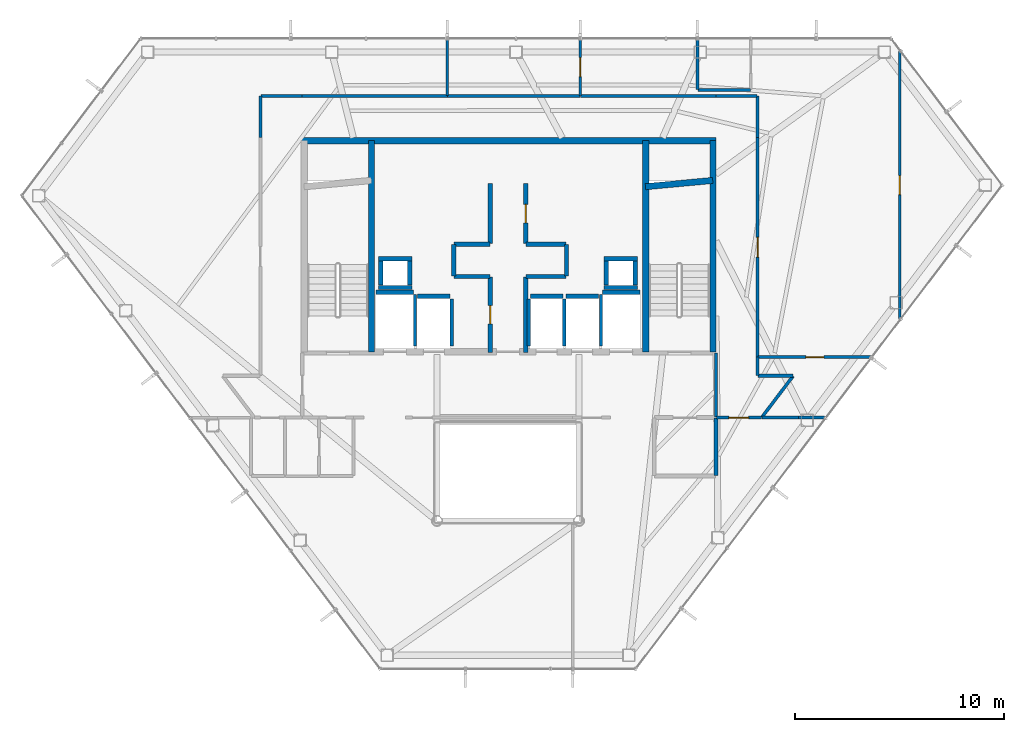
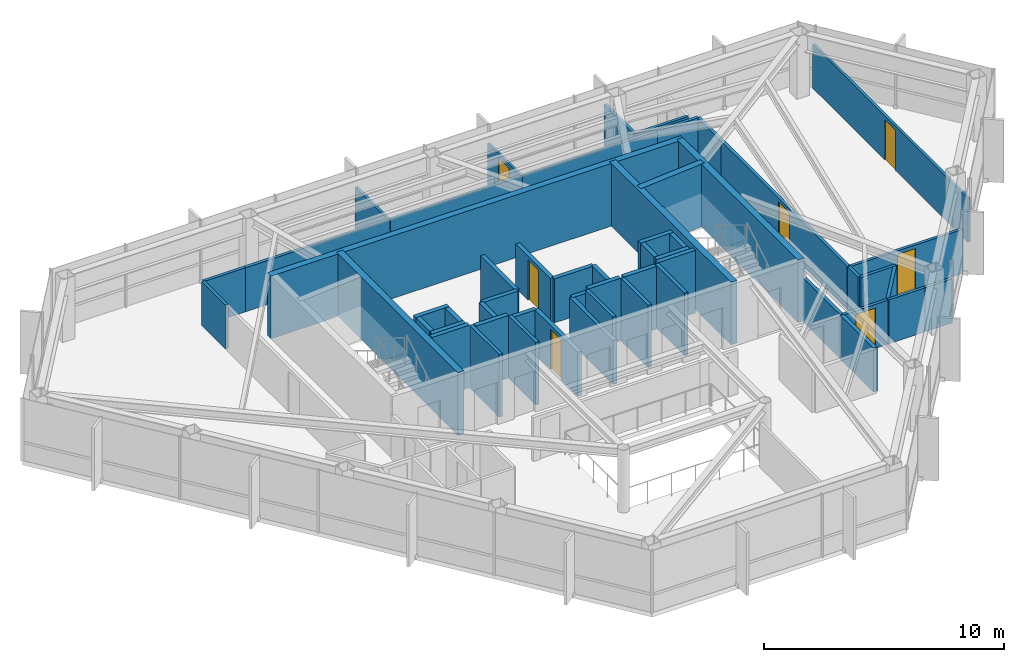
# One storey, part 26 of 28: 55 walls, 7 doors, 7 openings.
"""IFC4 building model written with IfcOpenShell, lengths in metres."""

from ifc_helpers import new_model, si_unit, direction, frame, frame_2d, origin, place, context, subcontext, project, spatial, rectangle, extrude, material, layer, layer_set, type_object, element, fill, save


model = new_model("IFC4")

# Units and contexts
model_context = context("Model", 3, precision=1e-05, world=origin(), true_north=direction((0.0, 1.0)))
body_context = subcontext(model_context, "Body", "Model", "MODEL_VIEW")
ifc_project = project(units=[si_unit("LENGTHUNIT", "METRE"), si_unit("AREAUNIT", "SQUARE_METRE"), si_unit("VOLUMEUNIT", "CUBIC_METRE"), si_unit("PLANEANGLEUNIT", "RADIAN"), si_unit("MASSUNIT", "GRAM", prefix="KILO")], contexts=[model_context])

# Site, building, storey
site_placement = place(None, origin())
site = spatial("IfcSite", under=ifc_project, at=site_placement, CompositionType="ELEMENT")
building_placement = place(site_placement, origin())
building = spatial("IfcBuilding", under=site, at=building_placement, Name="Zarrinselat Tower", CompositionType="ELEMENT")
storey_placement = place(building_placement, frame((0.0, 0.0, 218.9599609375)))
storey = spatial("IfcBuildingStorey", under=building, at=storey_placement, Name="L54", CompositionType="ELEMENT", Elevation=218.9599609375)

# Walls
ifc_material_1 = material(Name="Concrete C40/50", Category="concrete")
ifc_layer_1 = layer(ifc_material_1, 0.18994140625)
ifc_layer_set_1 = layer_set([ifc_layer_1], Name="Concrete C40/50")
wall_type_1 = type_object("IfcWallType", Name="WAL-PART-EI120", PredefinedType="PARTITIONING", material=ifc_layer_set_1)
wall_1_placement = place(storey_placement, frame((48.35009765625, 27.3701171875, 0.0), z_axis=(0.0, 0.0, 1.0), x_axis=(0.0, 1.0, 0.0)))
element("IfcWall", 1, at=wall_1_placement, inside=storey, type_object=wall_type_1, Name="L54 Partition Wall 21", PredefinedType="PARTITIONING", context=body_context, shape_type="SweptSolid", body=[
    extrude(rectangle(XDim=2.759765625, YDim=0.18994140625, at=frame_2d((1.3798828125, 0.0))), origin(), (0.0, 0.0, 1.0), 2.235107421875),
])
ifc_material_2 = material(Name="Fire-Rated Gypsum Board Partition", Category="gypsum")
ifc_layer_2 = layer(ifc_material_2, 0.14990234375)
ifc_layer_set_2 = layer_set([ifc_layer_2], Name="Fire-Rated Gypsum Board Partition")
wall_type_2 = type_object("IfcWallType", Name="WAL-PART-EI60", PredefinedType="PARTITIONING", material=ifc_layer_set_2)
wall_2_placement = place(storey_placement, frame((48.35009765625, 30.169921875, 0.0), z_axis=(0.0, 0.0, 1.0), x_axis=(0.0, 1.0, 0.0)))
element("IfcWall", 2, at=wall_2_placement, inside=storey, type_object=wall_type_2, Name="L54 Partition Wall 13", PredefinedType="PARTITIONING", context=body_context, shape_type="SweptSolid", body=[
    extrude(rectangle(XDim=3.06005859375, YDim=0.14990234375, at=frame_2d((1.530029296875, 0.0))), origin(), (0.0, 0.0, 1.0), 2.235107421875),
])

# Wall, opening, door
wall_3_placement = place(storey_placement, frame((48.3701171875, 30.14990234375, 0.0), z_axis=(0.0, 0.0, 1.0), x_axis=(1.0, 0.0, 0.0)))
wall_3 = element("IfcWall", 3, at=wall_3_placement, inside=storey, type_object=wall_type_2, Name="L54 Partition Wall 24", PredefinedType="PARTITIONING", context=body_context, shape_type="SweptSolid", body=[
    extrude(rectangle(XDim=2.155029296875, YDim=0.14990234375, at=frame_2d((1.07763671875, 0.0))), origin(), (0.0, 0.0, 1.0), 2.235107421875),
])
opening_1_placement = place(wall_3_placement, frame((0.607666015625, 0.0, 0.0)))
opening_1 = element("IfcOpeningElement", 4, at=opening_1_placement, cuts=wall_3, Name="Opening ID-04", PredefinedType="OPENING", context=body_context, shape_type="SweptSolid", body=[
    extrude(rectangle(XDim=0.93994140625, YDim=2.050048828125, at=frame_2d((0.469970703125, 1.02490234375))), frame((0.0, 0.0849609375, 0.0), z_axis=(0.0, -1.0, 0.0), x_axis=(1.0, 0.0, 0.0)), (0.0, 0.0, 1.0), 0.169921875),
])
ifc_material_3 = material(Name="Fire-Rated Gypsum Board Partition")
door_type_1 = type_object("IfcDoorType", Name="DR-INT-FD30-ENT", OperationType="NOTDEFINED", PredefinedType="DOOR", material=ifc_material_3)
door_1_placement = place(opening_1_placement, origin())
door_1 = element("IfcDoor", 5, at=door_1_placement, inside=storey, type_object=door_type_1, Name="L54 Interior Door P24", OperationType="SINGLE_SWING_RIGHT", OverallHeight=2.050048828125, OverallWidth=0.93994140625, PredefinedType="DOOR", context=body_context, shape_type="SweptSolid", body=[
    extrude(rectangle(XDim=0.93994140625, YDim=2.050048828125, at=frame_2d((0.469970703125, 1.02490234375))), frame((0.0, 0.02490234375, 0.0), z_axis=(0.0, -1.0, 0.0), x_axis=(1.0, 0.0, 0.0)), (0.0, 0.0, 1.0), 0.050048828125),
])
fill(opening_1, door_1)

# Walls
for number, where, z_axis, x_axis, name in (
    (6, (26.550048828125, 43.550048828125, 0.0), (0.0, 0.0, 1.0), (0.0, 1.0, 0.0), "L54 Partition Wall 28"),
    (7, (26.570068359375, 45.550048828125, 0.0), (0.0, 0.0, 1.0), (1.0, 0.0, 0.0), "L54 Partition Wall 29"),
):
    element("IfcWall", number, at=place(storey_placement, frame(where, z_axis=z_axis, x_axis=x_axis)), inside=storey, type_object=wall_type_2, Name=name, PredefinedType="PARTITIONING", context=body_context, shape_type="SweptSolid", body=[
        extrude(rectangle(XDim=1.97998046875, YDim=0.14990234375, at=frame_2d((0.989990234375, 0.0))), origin(), (0.0, 0.0, 1.0), 2.235107421875),
    ])
wall_4_placement = place(storey_placement, frame((28.550048828125, 45.550048828125, 0.0), z_axis=(0.0, 0.0, 1.0), x_axis=(1.0, 0.0, 0.0)))
element("IfcWall", 8, at=wall_4_placement, inside=storey, type_object=wall_type_2, Name="L54 Partition Wall 30", PredefinedType="PARTITIONING", context=body_context, shape_type="SweptSolid", body=[
    extrude(rectangle(XDim=6.945068359375, YDim=0.14990234375, at=frame_2d((3.47265625, 0.0))), origin(), (0.0, 0.0, 1.0), 2.235107421875),
])
wall_5_placement = place(storey_placement, frame((41.8603515625, 45.550048828125, 0.0), z_axis=(0.0, 0.0, 1.0), x_axis=(1.0, 0.0, 0.0)))
element("IfcWall", 9, at=wall_5_placement, inside=storey, type_object=wall_type_2, Name="L54 Partition Wall 31", PredefinedType="PARTITIONING", context=body_context, shape_type="SweptSolid", body=[
    extrude(rectangle(XDim=6.48974609375, YDim=0.14990234375, at=frame_2d((3.244873046875, 0.0))), origin(), (0.0, 0.0, 1.0), 2.235107421875),
])
for number, where, z_axis, x_axis, name in (
    (10, (48.35009765625, 45.550048828125, 0.0), (0.0, 0.0, 1.0), (1.0, 0.0, 0.0), "L54 Partition Wall 32"),
    (11, (50.35009765625, 43.550048828125, 0.0), (0.0, 0.0, 1.0), (0.0, 1.0, 0.0), "L54 Partition Wall 33"),
):
    element("IfcWall", number, at=place(storey_placement, frame(where, z_axis=z_axis, x_axis=x_axis)), inside=storey, type_object=wall_type_2, Name=name, PredefinedType="PARTITIONING", context=body_context, shape_type="SweptSolid", body=[
        extrude(rectangle(XDim=1.97998046875, YDim=0.14990234375, at=frame_2d((0.989990234375, 0.0))), origin(), (0.0, 0.0, 1.0), 2.235107421875),
    ])

# Wall, opening, door
wall_6_placement = place(storey_placement, frame((50.35009765625, 33.048583984375, 0.0), z_axis=(0.0, 0.0, 1.0), x_axis=(0.0, 1.0, 0.0)))
wall_6 = element("IfcWall", 12, at=wall_6_placement, inside=storey, type_object=wall_type_2, Name="L54 Partition Wall 34", PredefinedType="PARTITIONING", context=body_context, shape_type="SweptSolid", body=[
    extrude(rectangle(XDim=10.50146484375, YDim=0.14990234375, at=frame_2d((5.250732421875, 0.0))), origin(), (0.0, 0.0, 1.0), 2.235107421875),
])
opening_2_placement = place(wall_6_placement, frame((4.78076171875, 0.0, 0.0)))
opening_2 = element("IfcOpeningElement", 13, at=opening_2_placement, cuts=wall_6, Name="Opening ID-04", PredefinedType="OPENING", context=body_context, shape_type="SweptSolid", body=[
    extrude(rectangle(XDim=0.93994140625, YDim=2.050048828125, at=frame_2d((0.469970703125, 1.02490234375))), frame((0.0, 0.0849609375, 0.0), z_axis=(0.0, -1.0, 0.0), x_axis=(1.0, 0.0, 0.0)), (0.0, 0.0, 1.0), 0.169921875),
])
door_2_placement = place(opening_2_placement, origin())
door_2 = element("IfcDoor", 14, at=door_2_placement, inside=storey, type_object=door_type_1, Name="L54 Interior Door P34", OperationType="SINGLE_SWING_RIGHT", OverallHeight=2.050048828125, OverallWidth=0.93994140625, PredefinedType="DOOR", context=body_context, shape_type="SweptSolid", body=[
    extrude(rectangle(XDim=0.93994140625, YDim=2.050048828125, at=frame_2d((0.469970703125, 1.02490234375))), frame((0.0, 0.02490234375, 0.0), z_axis=(0.0, -1.0, 0.0), x_axis=(1.0, 0.0, 0.0)), (0.0, 0.0, 1.0), 0.050048828125),
])
fill(opening_2, door_2)

# Walls
wall_7_placement = place(storey_placement, frame((50.35009765625, 32.169921875, 0.0), z_axis=(0.0, 0.0, 1.0), x_axis=(0.0, 1.0, 0.0)))
element("IfcWall", 15, at=wall_7_placement, inside=storey, type_object=wall_type_2, Name="L54 Partition Wall 35", PredefinedType="PARTITIONING", context=body_context, shape_type="SweptSolid", body=[
    extrude(rectangle(XDim=0.86865234375, YDim=0.14990234375, at=frame_2d((0.434326171875, 0.0))), origin(), (0.0, 0.0, 1.0), 2.235107421875),
])
wall_8_placement = place(storey_placement, frame((50.3701171875, 32.14990234375, 0.0), z_axis=(0.0, 0.0, 1.0), x_axis=(1.0, 0.0, 0.0)))
element("IfcWall", 16, at=wall_8_placement, inside=storey, type_object=wall_type_2, Name="L54 Partition Wall 36", PredefinedType="PARTITIONING", context=body_context, shape_type="SweptSolid", body=[
    extrude(rectangle(XDim=1.665283203125, YDim=0.14990234375, at=frame_2d((0.83251953125, 0.0))), origin(), (0.0, 0.0, 1.0), 2.235107421875),
])
wall_9_placement = place(storey_placement, frame((50.55224609375, 30.166015625, 0.0), z_axis=(0.0, 0.0, 1.0), x_axis=(0.603869110647, 0.797083494502, 0.0)))
element("IfcWall", 17, at=wall_9_placement, inside=storey, type_object=wall_type_2, Name="L54 Partition Wall 37", PredefinedType="PARTITIONING", context=body_context, shape_type="SweptSolid", body=[
    extrude(rectangle(XDim=2.468994140625, YDim=0.14990234375, at=frame_2d((1.234375, 0.0))), origin(), (0.0, 0.0, 1.0), 2.235107421875),
])
wall_10_placement = place(storey_placement, frame((35.5048828125, 45.550048828125, 0.0), z_axis=(0.0, 0.0, 1.0), x_axis=(1.0, 0.0, 0.0)))
element("IfcWall", 18, at=wall_10_placement, inside=storey, type_object=wall_type_2, Name="L54 Partition Wall 38", PredefinedType="PARTITIONING", context=body_context, shape_type="SweptSolid", body=[
    extrude(rectangle(XDim=6.345458984375, YDim=0.14990234375, at=frame_2d((3.1728515625, 0.0))), origin(), (0.0, 0.0, 1.0), 2.235107421875),
])

# Wall, opening, door
ifc_material_4 = material(Name="Concrete C40/50", Category="concrete")
ifc_layer_3 = layer(ifc_material_4, 0.199951171875)
ifc_layer_set_3 = layer_set([ifc_layer_3], Name="Concrete C40/50")
wall_type_3 = type_object("IfcWallType", Name="WAL-PART-PLANT", PredefinedType="PARTITIONING", material=ifc_layer_set_3)
wall_11_placement = place(storey_placement, frame((37.550048828125, 33.264892578125, 0.0), z_axis=(0.0, 0.0, 1.0), x_axis=(0.0, 1.0, 0.0)))
wall_11 = element("IfcWall", 19, at=wall_11_placement, inside=storey, type_object=wall_type_3, Name="L54 Partition Wall 1", PredefinedType="PARTITIONING", context=body_context, shape_type="SweptSolid", body=[
    extrude(rectangle(XDim=3.614990234375, YDim=0.199951171875, at=frame_2d((1.8076171875, 0.0))), origin(), (0.0, 0.0, 1.0), 2.235107421875),
])
opening_3_placement = place(wall_11_placement, frame((1.367431640625, 0.0, 0.0)))
opening_3 = element("IfcOpeningElement", 20, at=opening_3_placement, cuts=wall_11, Name="Opening ID-03", PredefinedType="OPENING", context=body_context, shape_type="SweptSolid", body=[
    extrude(rectangle(XDim=0.8798828125, YDim=2.050048828125, at=frame_2d((0.43994140625, 1.02490234375))), frame((0.0, 0.10986328125, 0.0), z_axis=(0.0, -1.0, 0.0), x_axis=(1.0, 0.0, 0.0)), (0.0, 0.0, 1.0), 0.219970703125),
])
ifc_material_5 = material(Name="Steel S355J2", Category="steel")
door_type_2 = type_object("IfcDoorType", Name="DR-INT-FD60-S", OperationType="NOTDEFINED", PredefinedType="DOOR", material=ifc_material_5)
door_3_placement = place(opening_3_placement, origin())
door_3 = element("IfcDoor", 21, at=door_3_placement, inside=storey, type_object=door_type_2, Name="L54 Interior Door P1", OperationType="SINGLE_SWING_RIGHT", OverallHeight=2.050048828125, OverallWidth=0.8798828125, PredefinedType="DOOR", context=body_context, shape_type="SweptSolid", body=[
    extrude(rectangle(XDim=0.8798828125, YDim=2.050048828125, at=frame_2d((0.43994140625, 1.02490234375))), frame((0.0, 0.02490234375, 0.0), z_axis=(0.0, -1.0, 0.0), x_axis=(1.0, 0.0, 0.0)), (0.0, 0.0, 1.0), 0.050048828125),
])
fill(opening_3, door_3)

# Walls
wall_12_placement = place(storey_placement, frame((35.820068359375, 36.89990234375, 0.0), z_axis=(0.0, 0.0, 1.0), x_axis=(1.0, 0.0, 0.0)))
element("IfcWall", 22, at=wall_12_placement, inside=storey, type_object=wall_type_3, Name="L54 Partition Wall 2", PredefinedType="PARTITIONING", context=body_context, shape_type="SweptSolid", body=[
    extrude(rectangle(XDim=1.7099609375, YDim=0.199951171875, at=frame_2d((0.85498046875, 0.0))), origin(), (0.0, 0.0, 1.0), 2.235107421875),
])
wall_13_placement = place(storey_placement, frame((35.800048828125, 36.919921875, 0.0), z_axis=(0.0, 0.0, 1.0), x_axis=(0.0, 1.0, 0.0)))
element("IfcWall", 23, at=wall_13_placement, inside=storey, type_object=wall_type_3, Name="L54 Partition Wall 3", PredefinedType="PARTITIONING", context=body_context, shape_type="SweptSolid", body=[
    extrude(rectangle(XDim=1.510009765625, YDim=0.199951171875, at=frame_2d((0.7548828125, 0.0))), origin(), (0.0, 0.0, 1.0), 2.235107421875),
])
wall_14_placement = place(storey_placement, frame((35.820068359375, 38.449951171875, 0.0), z_axis=(0.0, 0.0, 1.0), x_axis=(1.0, 0.0, 0.0)))
element("IfcWall", 24, at=wall_14_placement, inside=storey, type_object=wall_type_3, Name="L54 Partition Wall 4", PredefinedType="PARTITIONING", context=body_context, shape_type="SweptSolid", body=[
    extrude(rectangle(XDim=1.7099609375, YDim=0.199951171875, at=frame_2d((0.85498046875, 0.0))), origin(), (0.0, 0.0, 1.0), 2.235107421875),
])
wall_15_placement = place(storey_placement, frame((37.550048828125, 38.469970703125, 0.0), z_axis=(0.0, 0.0, 1.0), x_axis=(0.0, 1.0, 0.0)))
element("IfcWall", 25, at=wall_15_placement, inside=storey, type_object=wall_type_3, Name="L54 Partition Wall 5", PredefinedType="PARTITIONING", context=body_context, shape_type="SweptSolid", body=[
    extrude(rectangle(XDim=2.880126953125, YDim=0.199951171875, at=frame_2d((1.43994140625, 0.0))), origin(), (0.0, 0.0, 1.0), 2.235107421875),
])

# Wall, opening, door
wall_16_placement = place(storey_placement, frame((39.25, 38.469970703125, 0.0), z_axis=(0.0, 0.0, 1.0), x_axis=(0.0, 1.0, 0.0)))
wall_16 = element("IfcWall", 26, at=wall_16_placement, inside=storey, type_object=wall_type_3, Name="L54 Partition Wall 6", PredefinedType="PARTITIONING", context=body_context, shape_type="SweptSolid", body=[
    extrude(rectangle(XDim=2.880126953125, YDim=0.199951171875, at=frame_2d((1.43994140625, 0.0))), origin(), (0.0, 0.0, 1.0), 2.235107421875),
])
opening_4_placement = place(wall_16_placement, frame((1.0, 0.0, 0.0)))
opening_4 = element("IfcOpeningElement", 27, at=opening_4_placement, cuts=wall_16, Name="Opening ID-03", PredefinedType="OPENING", context=body_context, shape_type="SweptSolid", body=[
    extrude(rectangle(XDim=0.8798828125, YDim=2.050048828125, at=frame_2d((0.43994140625, 1.02490234375))), frame((0.0, 0.10986328125, 0.0), z_axis=(0.0, -1.0, 0.0), x_axis=(1.0, 0.0, 0.0)), (0.0, 0.0, 1.0), 0.219970703125),
])
door_4_placement = place(opening_4_placement, origin())
door_4 = element("IfcDoor", 28, at=door_4_placement, inside=storey, type_object=door_type_2, Name="L54 Interior Door P6", OperationType="SINGLE_SWING_LEFT", OverallHeight=2.050048828125, OverallWidth=0.8798828125, PredefinedType="DOOR", context=body_context, shape_type="SweptSolid", body=[
    extrude(rectangle(XDim=0.8798828125, YDim=2.050048828125, at=frame_2d((0.43994140625, 1.02490234375))), frame((0.0, 0.02490234375, 0.0), z_axis=(0.0, -1.0, 0.0), x_axis=(1.0, 0.0, 0.0)), (0.0, 0.0, 1.0), 0.050048828125),
])
fill(opening_4, door_4)

# Walls
wall_17_placement = place(storey_placement, frame((39.27001953125, 38.449951171875, 0.0), z_axis=(0.0, 0.0, 1.0), x_axis=(1.0, 0.0, 0.0)))
element("IfcWall", 29, at=wall_17_placement, inside=storey, type_object=wall_type_3, Name="L54 Partition Wall 7", PredefinedType="PARTITIONING", context=body_context, shape_type="SweptSolid", body=[
    extrude(rectangle(XDim=1.909912109375, YDim=0.199951171875, at=frame_2d((0.955078125, 0.0))), origin(), (0.0, 0.0, 1.0), 2.235107421875),
])
wall_18_placement = place(storey_placement, frame((41.199951171875, 36.919921875, 0.0), z_axis=(0.0, 0.0, 1.0), x_axis=(0.0, 1.0, 0.0)))
element("IfcWall", 30, at=wall_18_placement, inside=storey, type_object=wall_type_3, Name="L54 Partition Wall 8", PredefinedType="PARTITIONING", context=body_context, shape_type="SweptSolid", body=[
    extrude(rectangle(XDim=1.510009765625, YDim=0.199951171875, at=frame_2d((0.7548828125, 0.0))), origin(), (0.0, 0.0, 1.0), 2.235107421875),
])
wall_19_placement = place(storey_placement, frame((39.27001953125, 36.89990234375, 0.0), z_axis=(0.0, 0.0, 1.0), x_axis=(1.0, 0.0, 0.0)))
element("IfcWall", 31, at=wall_19_placement, inside=storey, type_object=wall_type_3, Name="L54 Partition Wall 9", PredefinedType="PARTITIONING", context=body_context, shape_type="SweptSolid", body=[
    extrude(rectangle(XDim=1.909912109375, YDim=0.199951171875, at=frame_2d((0.955078125, 0.0))), origin(), (0.0, 0.0, 1.0), 2.235107421875),
])
wall_20_placement = place(storey_placement, frame((39.25, 33.264892578125, 0.0), z_axis=(0.0, 0.0, 1.0), x_axis=(0.0, 1.0, 0.0)))
element("IfcWall", 32, at=wall_20_placement, inside=storey, type_object=wall_type_3, Name="L54 Partition Wall 10", PredefinedType="PARTITIONING", context=body_context, shape_type="SweptSolid", body=[
    extrude(rectangle(XDim=3.614990234375, YDim=0.199951171875, at=frame_2d((1.8076171875, 0.0))), origin(), (0.0, 0.0, 1.0), 2.235107421875),
])
ifc_material_6 = material(Name="Fire-Rated Gypsum Board Partition", Category="gypsum")
ifc_layer_4 = layer(ifc_material_6, 0.1201171875)
ifc_layer_set_4 = layer_set([ifc_layer_4], Name="Fire-Rated Gypsum Board Partition")
wall_type_4 = type_object("IfcWallType", Name="WAL-PART-STD", PredefinedType="PARTITIONING", material=ifc_layer_set_4)
wall_21_placement = place(storey_placement, frame((35.5, 45.570068359375, 0.0), z_axis=(0.0, 0.0, 1.0), x_axis=(0.0, 1.0, 0.0)))
element("IfcWall", 33, at=wall_21_placement, inside=storey, type_object=wall_type_4, Name="L54 Partition Wall 51", PredefinedType="PARTITIONING", context=body_context, shape_type="SweptSolid", body=[
    extrude(rectangle(XDim=2.709228515625, YDim=0.1201171875, at=frame_2d((1.3544921875, 0.0))), origin(), (0.0, 0.0, 1.0), 2.235107421875),
])

# Wall, opening, door
wall_22_placement = place(storey_placement, frame((41.855224609375, 45.570068359375, 0.0), z_axis=(0.0, 0.0, 1.0), x_axis=(0.0, 1.0, 0.0)))
wall_22 = element("IfcWall", 34, at=wall_22_placement, inside=storey, type_object=wall_type_4, Name="L54 Partition Wall 56", PredefinedType="PARTITIONING", context=body_context, shape_type="SweptSolid", body=[
    extrude(rectangle(XDim=2.709228515625, YDim=0.1201171875, at=frame_2d((1.3544921875, 0.0))), origin(), (0.0, 0.0, 1.0), 2.235107421875),
])
opening_5_placement = place(wall_22_placement, frame((0.90478515625, 0.0, 0.0)))
opening_5 = element("IfcOpeningElement", 35, at=opening_5_placement, cuts=wall_22, Name="Opening ID-05", PredefinedType="OPENING", context=body_context, shape_type="SweptSolid", body=[
    extrude(rectangle(XDim=0.89990234375, YDim=2.050048828125, at=frame_2d((0.449951171875, 1.02490234375))), frame((0.0, 0.070068359375, 0.0), z_axis=(0.0, -1.0, 0.0), x_axis=(1.0, 0.0, 0.0)), (0.0, 0.0, 1.0), 0.14013671875),
])
ifc_material_7 = material(Name="Extruded Aluminium Alloy EN AW-6063 T6", Category="aluminium")
door_type_3 = type_object("IfcDoorType", Name="DR-INT-STD-920", OperationType="NOTDEFINED", PredefinedType="DOOR", material=ifc_material_7)
door_5_placement = place(opening_5_placement, origin())
door_5 = element("IfcDoor", 36, at=door_5_placement, inside=storey, type_object=door_type_3, Name="L54 Interior Door P56", OperationType="SINGLE_SWING_RIGHT", OverallHeight=2.050048828125, OverallWidth=0.89990234375, PredefinedType="DOOR", context=body_context, shape_type="SweptSolid", body=[
    extrude(rectangle(XDim=0.89990234375, YDim=2.050048828125, at=frame_2d((0.449951171875, 1.02490234375))), frame((0.0, 0.02490234375, 0.0), z_axis=(0.0, -1.0, 0.0), x_axis=(1.0, 0.0, 0.0)), (0.0, 0.0, 1.0), 0.050048828125),
])
fill(opening_5, door_5)

wall_23_placement = place(storey_placement, frame((57.150390625, 34.81689453125, 0.0), z_axis=(0.0, 0.0, 1.0), x_axis=(0.0, 1.0, 0.0)))
wall_23 = element("IfcWall", 37, at=wall_23_placement, inside=storey, type_object=wall_type_4, Name="L54 Partition Wall 57", PredefinedType="PARTITIONING", context=body_context, shape_type="SweptSolid", body=[
    extrude(rectangle(XDim=12.919921875, YDim=0.1201171875, at=frame_2d((6.4599609375, 0.0))), origin(), (0.0, 0.0, 1.0), 2.235107421875),
])
opening_6_placement = place(wall_23_placement, frame((6.010009765625, 0.0, 0.0)))
opening_6 = element("IfcOpeningElement", 38, at=opening_6_placement, cuts=wall_23, Name="Opening ID-05", PredefinedType="OPENING", context=body_context, shape_type="SweptSolid", body=[
    extrude(rectangle(XDim=0.89990234375, YDim=2.050048828125, at=frame_2d((0.449951171875, 1.02490234375))), frame((0.0, 0.070068359375, 0.0), z_axis=(0.0, -1.0, 0.0), x_axis=(1.0, 0.0, 0.0)), (0.0, 0.0, 1.0), 0.14013671875),
])
door_6_placement = place(opening_6_placement, origin())
door_6 = element("IfcDoor", 39, at=door_6_placement, inside=storey, type_object=door_type_3, Name="L54 Interior Door P57", OperationType="SINGLE_SWING_LEFT", OverallHeight=2.050048828125, OverallWidth=0.89990234375, PredefinedType="DOOR", context=body_context, shape_type="SweptSolid", body=[
    extrude(rectangle(XDim=0.89990234375, YDim=2.050048828125, at=frame_2d((0.449951171875, 1.02490234375))), frame((0.0, 0.02490234375, 0.0), z_axis=(0.0, -1.0, 0.0), x_axis=(1.0, 0.0, 0.0)), (0.0, 0.0, 1.0), 0.050048828125),
])
fill(opening_6, door_6)

# Walls
ifc_material_8 = material(Name="Fire-Rated Gypsum Board Partition", Category="gypsum")
ifc_layer_5 = layer(ifc_material_8, 0.135009765625)
ifc_layer_set_5 = layer_set([ifc_layer_5], Name="Fire-Rated Gypsum Board Partition")
wall_type_5 = type_object("IfcWallType", Name="WAL-PART-WET", PredefinedType="PARTITIONING", material=ifc_layer_set_5)
wall_24_placement = place(storey_placement, frame((50.560302734375, 30.14990234375, 0.0), z_axis=(0.0, 0.0, 1.0), x_axis=(1.0, 0.0, 0.0)))
element("IfcWall", 40, at=wall_24_placement, inside=storey, type_object=wall_type_5, Name="L54 Partition Wall 49", PredefinedType="PARTITIONING", context=body_context, shape_type="SweptSolid", body=[
    extrude(rectangle(XDim=1.73974609375, YDim=0.135009765625, at=frame_2d((0.869873046875, 0.0))), origin(), (0.0, 0.0, 1.0), 2.235107421875),
])
wall_25_placement = place(storey_placement, frame((52.300048828125, 30.14990234375, 0.0), z_axis=(0.0, 0.0, 1.0), x_axis=(1.0, 0.0, 0.0)))
element("IfcWall", 41, at=wall_25_placement, inside=storey, type_object=wall_type_5, Name="L54 Partition Wall 50", PredefinedType="PARTITIONING", context=body_context, shape_type="SweptSolid", body=[
    extrude(rectangle(XDim=1.311279296875, YDim=0.135009765625, at=frame_2d((0.65576171875, 0.0))), origin(), (0.0, 0.0, 1.0), 2.235107421875),
])

# Wall, opening, door
wall_26_placement = place(storey_placement, frame((50.3701171875, 33.04345703125, 0.0), z_axis=(0.0, 0.0, 1.0), x_axis=(1.0, 0.0, 0.0)))
wall_26 = element("IfcWall", 42, at=wall_26_placement, inside=storey, type_object=wall_type_5, Name="L54 Partition Wall 52", PredefinedType="PARTITIONING", context=body_context, shape_type="SweptSolid", body=[
    extrude(rectangle(XDim=5.433349609375, YDim=0.135009765625, at=frame_2d((2.716796875, 0.0))), origin(), (0.0, 0.0, 1.0), 2.235107421875),
])
opening_7_placement = place(wall_26_placement, frame((2.28662109375, 0.0, 0.0)))
opening_7 = element("IfcOpeningElement", 43, at=opening_7_placement, cuts=wall_26, Name="Opening ID-06", PredefinedType="OPENING", context=body_context, shape_type="SweptSolid", body=[
    extrude(rectangle(XDim=0.860107421875, YDim=2.050048828125, at=frame_2d((0.43017578125, 1.02490234375))), frame((0.0, 0.077392578125, 0.0), z_axis=(0.0, -1.0, 0.0), x_axis=(1.0, 0.0, 0.0)), (0.0, 0.0, 1.0), 0.155029296875),
])
ifc_material_9 = material(Name="Extruded Aluminium Alloy EN AW-6063 T6", Category="aluminium")
door_type_4 = type_object("IfcDoorType", Name="DR-INT-WET-900", OperationType="NOTDEFINED", PredefinedType="DOOR", material=ifc_material_9)
door_7_placement = place(opening_7_placement, origin())
door_7 = element("IfcDoor", 44, at=door_7_placement, inside=storey, type_object=door_type_4, Name="L54 Interior Door P52", OperationType="SINGLE_SWING_RIGHT", OverallHeight=2.050048828125, OverallWidth=0.860107421875, PredefinedType="DOOR", context=body_context, shape_type="SweptSolid", body=[
    extrude(rectangle(XDim=0.860107421875, YDim=2.050048828125, at=frame_2d((0.43017578125, 1.02490234375))), frame((0.0, 0.02490234375, 0.0), z_axis=(0.0, -1.0, 0.0), x_axis=(1.0, 0.0, 0.0)), (0.0, 0.0, 1.0), 0.050048828125),
])
fill(opening_7, door_7)

# Walls
wall_27_placement = place(storey_placement, frame((47.46533203125, 45.8544921875, 0.0), z_axis=(0.0, 0.0, 1.0), x_axis=(0.0, 1.0, 0.0)))
element("IfcWall", 45, at=wall_27_placement, inside=storey, type_object=wall_type_5, Name="L54 Partition Wall 53", PredefinedType="PARTITIONING", context=body_context, shape_type="SweptSolid", body=[
    extrude(rectangle(XDim=2.4248046875, YDim=0.135009765625, at=frame_2d((1.21240234375, 0.0))), origin(), (0.0, 0.0, 1.0), 2.235107421875),
])
wall_28_placement = place(storey_placement, frame((47.4853515625, 45.83447265625, 0.0), z_axis=(0.0, 0.0, 1.0), x_axis=(1.0, 0.0, 0.0)))
element("IfcWall", 46, at=wall_28_placement, inside=storey, type_object=wall_type_5, Name="L54 Partition Wall 54", PredefinedType="PARTITIONING", context=body_context, shape_type="SweptSolid", body=[
    extrude(rectangle(XDim=2.510009765625, YDim=0.135009765625, at=frame_2d((1.2548828125, 0.0))), origin(), (0.0, 0.0, 1.0), 2.235107421875),
])
ifc_material_10 = material(Name="Concrete C40/50", Category="concrete")
ifc_layer_6 = layer(ifc_material_10, 0.2099609375)
ifc_layer_set_6 = layer_set([ifc_layer_6], Name="Concrete C40/50")
wall_type_6 = type_object("IfcWallType", Name="WAL-SHAFT-210", PredefinedType="SOLIDWALL", material=ifc_layer_set_6)
wall_29_placement = place(storey_placement, frame((32.080078125, 36.155029296875, 0.0), z_axis=(0.0, 0.0, 1.0), x_axis=(1.0, 0.0, 0.0)))
element("IfcWall", 47, at=wall_29_placement, inside=storey, type_object=wall_type_6, Name="L54 Lift FFL1 North Shaft Wall", PredefinedType="SOLIDWALL", context=body_context, shape_type="SweptSolid", body=[
    extrude(rectangle(XDim=1.7998046875, YDim=0.2099609375, at=frame_2d((0.89990234375, 0.0))), origin(), (0.0, 0.0, 1.0), 3.179931640625),
])
wall_30_placement = place(storey_placement, frame((33.949951171875, 33.580078125, 0.0), z_axis=(0.0, 0.0, 1.0), x_axis=(0.0, 1.0, 0.0)))
element("IfcWall", 48, at=wall_30_placement, inside=storey, type_object=wall_type_6, Name="L54 Lift FFL1 E Shaft Wall", PredefinedType="SOLIDWALL", context=body_context, shape_type="SweptSolid", body=[
    extrude(rectangle(XDim=2.449951171875, YDim=0.159912109375, at=frame_2d((1.22509765625, 0.0))), origin(), (0.0, 0.0, 1.0), 3.179931640625),
])
wall_31_placement = place(storey_placement, frame((42.919921875, 36.155029296875, 0.0), z_axis=(0.0, 0.0, 1.0), x_axis=(1.0, 0.0, 0.0)))
element("IfcWall", 49, at=wall_31_placement, inside=storey, type_object=wall_type_6, Name="L54 Lift FFL2 North Shaft Wall", PredefinedType="SOLIDWALL", context=body_context, shape_type="SweptSolid", body=[
    extrude(rectangle(XDim=1.800048828125, YDim=0.2099609375, at=frame_2d((0.89990234375, 0.0))), origin(), (0.0, 0.0, 1.0), 3.179931640625),
])
wall_32_placement = place(storey_placement, frame((42.85009765625, 33.580078125, 0.0), z_axis=(0.0, 0.0, 1.0), x_axis=(0.0, 1.0, 0.0)))
element("IfcWall", 50, at=wall_32_placement, inside=storey, type_object=wall_type_6, Name="L54 Lift FFL2 W Shaft Wall", PredefinedType="SOLIDWALL", context=body_context, shape_type="SweptSolid", body=[
    extrude(rectangle(XDim=2.449951171875, YDim=0.159912109375, at=frame_2d((1.22509765625, 0.0))), origin(), (0.0, 0.0, 1.0), 3.179931640625),
])
wall_33_placement = place(storey_placement, frame((39.469970703125, 35.955078125, 0.0), z_axis=(0.0, 0.0, 1.0), x_axis=(1.0, 0.0, 0.0)))
element("IfcWall", 51, at=wall_33_placement, inside=storey, type_object=wall_type_6, Name="L54 Lift PL8 North Shaft Wall", PredefinedType="SOLIDWALL", context=body_context, shape_type="SweptSolid", body=[
    extrude(rectangle(XDim=1.56005859375, YDim=0.2099609375, at=frame_2d((0.780029296875, 0.0))), origin(), (0.0, 0.0, 1.0), 3.179931640625),
])
for number, where, z_axis, x_axis, name in (
    (52, (39.39990234375, 33.580078125, 0.0), (0.0, 0.0, 1.0), (0.0, 1.0, 0.0), "L54 Lift PL8 W Shaft Wall"),
    (53, (41.10009765625, 33.580078125, 0.0), (0.0, 0.0, 1.0), (0.0, 1.0, 0.0), "L54 Lift PL8 E Shaft Wall"),
):
    element("IfcWall", number, at=place(storey_placement, frame(where, z_axis=z_axis, x_axis=x_axis)), inside=storey, type_object=wall_type_6, Name=name, PredefinedType="SOLIDWALL", context=body_context, shape_type="SweptSolid", body=[
        extrude(rectangle(XDim=2.25, YDim=0.159912109375, at=frame_2d((1.125, 0.0))), origin(), (0.0, 0.0, 1.0), 3.179931640625),
    ])
wall_34_placement = place(storey_placement, frame((41.169921875, 35.955078125, 0.0), z_axis=(0.0, 0.0, 1.0), x_axis=(1.0, 0.0, 0.0)))
element("IfcWall", 54, at=wall_34_placement, inside=storey, type_object=wall_type_6, Name="L54 Lift PL9 North Shaft Wall", PredefinedType="SOLIDWALL", context=body_context, shape_type="SweptSolid", body=[
    extrude(rectangle(XDim=1.56005859375, YDim=0.2099609375, at=frame_2d((0.780029296875, 0.0))), origin(), (0.0, 0.0, 1.0), 3.179931640625),
])
wall_35_placement = place(storey_placement, frame((34.070068359375, 35.955078125, 0.0), z_axis=(0.0, 0.0, 1.0), x_axis=(1.0, 0.0, 0.0)))
element("IfcWall", 55, at=wall_35_placement, inside=storey, type_object=wall_type_6, Name="L54 Lift PL10 North Shaft Wall", PredefinedType="SOLIDWALL", context=body_context, shape_type="SweptSolid", body=[
    extrude(rectangle(XDim=1.559814453125, YDim=0.2099609375, at=frame_2d((0.77978515625, 0.0))), origin(), (0.0, 0.0, 1.0), 3.179931640625),
])
wall_36_placement = place(storey_placement, frame((35.699951171875, 33.580078125, 0.0), z_axis=(0.0, 0.0, 1.0), x_axis=(0.0, 1.0, 0.0)))
element("IfcWall", 56, at=wall_36_placement, inside=storey, type_object=wall_type_6, Name="L54 Lift PL10 E Shaft Wall", PredefinedType="SOLIDWALL", context=body_context, shape_type="SweptSolid", body=[
    extrude(rectangle(XDim=2.25, YDim=0.159912109375, at=frame_2d((1.125, 0.0))), origin(), (0.0, 0.0, 1.0), 3.179931640625),
])
for number, where, z_axis, x_axis, name in (
    (57, (32.2099609375, 36.375, 0.0), (0.0, 0.0, 1.0), (1.0, 0.0, 0.0), "L54 Core Riser RSR-W S Shaft Wall"),
    (58, (32.2099609375, 37.7451171875, 0.0), (0.0, 0.0, 1.0), (1.0, 0.0, 0.0), "L54 Core Riser RSR-W N Shaft Wall"),
):
    element("IfcWall", number, at=place(storey_placement, frame(where, z_axis=z_axis, x_axis=x_axis)), inside=storey, type_object=wall_type_6, Name=name, PredefinedType="SOLIDWALL", context=body_context, shape_type="SweptSolid", body=[
        extrude(rectangle(XDim=1.60009765625, YDim=0.2099609375, at=frame_2d((0.800048828125, 0.0))), origin(), (0.0, 0.0, 1.0), 3.179931640625),
    ])
for number, where, z_axis, x_axis, name in (
    (59, (32.31494140625, 36.485107421875, 0.0), (0.0, 0.0, 1.0), (0.0, 1.0, 0.0), "L54 Core Riser RSR-W W Shaft Wall"),
    (60, (33.705078125, 36.485107421875, 0.0), (0.0, 0.0, 1.0), (0.0, 1.0, 0.0), "L54 Core Riser RSR-W E Shaft Wall"),
):
    element("IfcWall", number, at=place(storey_placement, frame(where, z_axis=z_axis, x_axis=x_axis)), inside=storey, type_object=wall_type_6, Name=name, PredefinedType="SOLIDWALL", context=body_context, shape_type="SweptSolid", body=[
        extrude(rectangle(XDim=1.14990234375, YDim=0.2099609375, at=frame_2d((0.574951171875, 0.0))), origin(), (0.0, 0.0, 1.0), 3.179931640625),
    ])
for number, where, z_axis, x_axis, name in (
    (61, (42.989990234375, 36.375, 0.0), (0.0, 0.0, 1.0), (1.0, 0.0, 0.0), "L54 Core Riser RSR-E S Shaft Wall"),
    (62, (42.989990234375, 37.7451171875, 0.0), (0.0, 0.0, 1.0), (1.0, 0.0, 0.0), "L54 Core Riser RSR-E N Shaft Wall"),
):
    element("IfcWall", number, at=place(storey_placement, frame(where, z_axis=z_axis, x_axis=x_axis)), inside=storey, type_object=wall_type_6, Name=name, PredefinedType="SOLIDWALL", context=body_context, shape_type="SweptSolid", body=[
        extrude(rectangle(XDim=1.60009765625, YDim=0.2099609375, at=frame_2d((0.800048828125, 0.0))), origin(), (0.0, 0.0, 1.0), 3.179931640625),
    ])
for number, where, z_axis, x_axis, name in (
    (63, (43.094970703125, 36.485107421875, 0.0), (0.0, 0.0, 1.0), (0.0, 1.0, 0.0), "L54 Core Riser RSR-E W Shaft Wall"),
    (64, (44.485107421875, 36.485107421875, 0.0), (0.0, 0.0, 1.0), (0.0, 1.0, 0.0), "L54 Core Riser RSR-E E Shaft Wall"),
):
    element("IfcWall", number, at=place(storey_placement, frame(where, z_axis=z_axis, x_axis=x_axis)), inside=storey, type_object=wall_type_6, Name=name, PredefinedType="SOLIDWALL", context=body_context, shape_type="SweptSolid", body=[
        extrude(rectangle(XDim=1.14990234375, YDim=0.2099609375, at=frame_2d((0.574951171875, 0.0))), origin(), (0.0, 0.0, 1.0), 3.179931640625),
    ])
ifc_material_11 = material(Name="Concrete C40/50", Category="concrete")
ifc_layer_7 = layer(ifc_material_11, 0.300048828125)
ifc_layer_set_7 = layer_set([ifc_layer_7], Name="Concrete C40/50")
wall_type_7 = type_object("IfcWallType", Name="WAL-SHEAR-300", PredefinedType="SHEAR", material=ifc_layer_set_7)
wall_37_placement = place(storey_placement, frame((28.5, 43.39990234375, 0.0), z_axis=(0.0, 0.0, 1.0), x_axis=(1.0, 0.0, 0.0)))
element("IfcWall", 65, at=wall_37_placement, inside=storey, type_object=wall_type_7, Name="L54 North Core Shear Wall", PredefinedType="SHEAR", context=body_context, shape_type="SweptSolid", body=[
    extrude(rectangle(XDim=19.860107421875, YDim=0.300048828125, at=frame_2d((9.93017578125, 0.0))), origin(), (0.0, 0.0, 1.0), 3.179931640625),
])
for number, where, z_axis, x_axis, name in (
    (66, (31.8701171875, 33.300048828125, 0.0), (0.0, 0.0, 1.0), (0.0, 1.0, 0.0), "L54 Core Shear Wall ST1E"),
    (67, (44.989990234375, 33.300048828125, 0.0), (0.0, 0.0, 1.0), (0.0, 1.0, 0.0), "L54 Core Shear Wall ST2W"),
    (68, (48.2099609375, 33.300048828125, 0.0), (0.0, 0.0, 1.0), (0.0, 1.0, 0.0), "L54 Core Shear Wall E"),
):
    element("IfcWall", number, at=place(storey_placement, frame(where, z_axis=z_axis, x_axis=x_axis)), inside=storey, type_object=wall_type_7, Name=name, PredefinedType="SHEAR", context=body_context, shape_type="SweptSolid", body=[
        extrude(rectangle(XDim=10.099853515625, YDim=0.300048828125, at=frame_2d((5.0498046875, 0.0))), origin(), (0.0, 0.0, 1.0), 3.179931640625),
    ])
wall_38_placement = place(storey_placement, frame((44.97998046875, 41.199951171875, 0.0), z_axis=(0.0, 0.0, 1.0), x_axis=(0.995686468965, 0.09278176286, 0.0)))
element("IfcWall", 69, at=wall_38_placement, inside=storey, type_object=wall_type_7, Name="L54 Stair 2 North Shaft Wall", PredefinedType="SHEAR", context=body_context, shape_type="SweptSolid", body=[
    extrude(rectangle(XDim=3.23388671875, YDim=0.300048828125, at=frame_2d((1.616943359375, 0.0))), origin(), (0.0, 0.0, 1.0), 3.179931640625),
])

save(model, "model.ifc")
